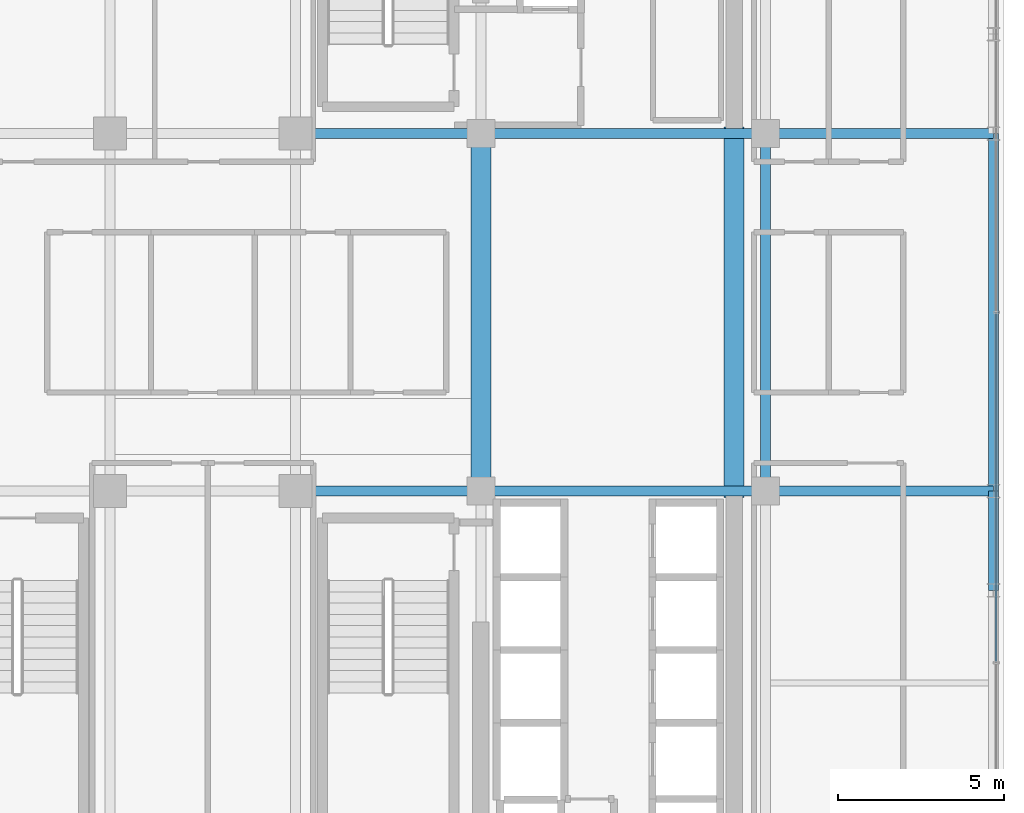
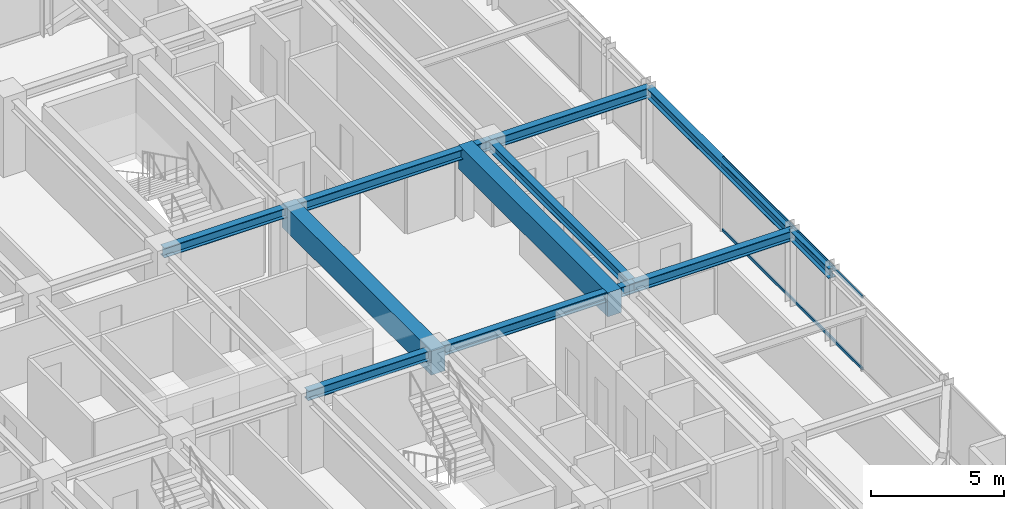
# One storey, part 16 of 41: 11 beams, 2 members, 1 element without a shape of its own.
"""IFC4 building model written with IfcOpenShell, lengths in metres."""

from ifc_helpers import new_model, si_unit, direction, frame, origin, origin_2d, place, context, subcontext, project, spatial, rectangle, hollow_rectangle, i_section, extrude, source, transform, mapped, material, material_profile, profile_set, type_object, element, aggregate, save


model = new_model("IFC4")

# Units and contexts
model_context = context("Model", 3, precision=1e-05, world=origin(), true_north=direction((0.0, 1.0)))
body_context = subcontext(model_context, "Body", "Model", "MODEL_VIEW")
ifc_project = project(units=[si_unit("LENGTHUNIT", "METRE"), si_unit("AREAUNIT", "SQUARE_METRE"), si_unit("VOLUMEUNIT", "CUBIC_METRE"), si_unit("PLANEANGLEUNIT", "RADIAN"), si_unit("MASSUNIT", "GRAM", prefix="KILO")], contexts=[model_context])

# Site, building, storey
site_placement = place(None, origin())
site = spatial("IfcSite", under=ifc_project, at=site_placement, CompositionType="ELEMENT")
building_placement = place(site_placement, origin())
building = spatial("IfcBuilding", under=site, at=building_placement, Name="Nahalor Promenade Grand Hotel", CompositionType="ELEMENT")
storey_placement = place(building_placement, frame((0.0, 0.0, 227.10009765625)))
storey = spatial("IfcBuildingStorey", under=building, at=storey_placement, Name="L58", CompositionType="ELEMENT", Elevation=227.10009765625)

# Beams
ifc_material_1 = material(Name="Concrete B-60 (C50/60)", Category="concrete")
ifc_material_profile_1 = material_profile(ifc_material_1, rectangle(XDim=0.6, YDim=1.1, at=origin_2d()), Name="RC 600x1100")
ifc_profile_set_1 = profile_set([ifc_material_profile_1], Name="Concrete B-60 (C50/60)")
beam_type_1 = type_object("IfcBeamType", Name="Beam-Lintel-RC1100", PredefinedType="LINTEL", material=ifc_profile_set_1)
shared_shape_1 = source(origin(), body_context, "Body", "SweptSolid", [
    extrude(rectangle(XDim=0.6, YDim=1.1, at=origin_2d()), origin(), (0.0, 0.0, 1.0), 11.2001953125),
])
for number, where, z_axis, x_axis, name in (
    (1, (8.39990234375, -5.60009765625, 2.85986328125), (0.0, 1.0, 0.0), (-1.0, 0.0, 0.0), "BM-L58-LINT-W"),
    (2, (16.050048828125, -5.60009765625, 2.85986328125), (0.0, 1.0, 0.0), (-1.0, 0.0, 0.0), "BM-L58-LINT-E"),
):
    element("IfcBeam", number, at=place(storey_placement, frame(where, z_axis=z_axis, x_axis=x_axis)), inside=storey, type_object=beam_type_1, Name=name, PredefinedType="LINTEL", context=body_context, shape_type="MappedRepresentation", body=[
        mapped(shared_shape_1, transform((0.0, 0.0, 0.0), scale=1.0)),
    ])
ifc_material_2 = material(Name="Steel S355JR", Category="steel")
ifc_material_profile_2 = material_profile(ifc_material_2, i_section(OverallWidth=0.3, OverallDepth=0.45, WebThickness=0.014, FlangeThickness=0.026, at=origin_2d()), Name="HEB 450")
ifc_profile_set_2 = profile_set([ifc_material_profile_2], Name="Steel S355JR")
beam_type_2 = type_object("IfcBeamType", Name="Beam-Spandrel-HEB450", PredefinedType="SPANDREL", material=ifc_profile_set_2)
shared_shape_2 = source(origin(), body_context, "Body", "SweptSolid", [
    extrude(i_section(OverallWidth=0.3, OverallDepth=0.45, WebThickness=0.014, FlangeThickness=0.026, at=origin_2d()), origin(), (0.0, 0.0, 1.0), 3.0),
])
beam_1_placement = place(storey_placement, frame((23.8798828125, -8.39990234375, 3.184814453125), z_axis=(0.0, 1.0, 0.0), x_axis=(-1.0, 0.0, 0.0)))
element("IfcBeam", 3, at=beam_1_placement, inside=storey, type_object=beam_type_2, Name="BM-L58-SP-E-1", PredefinedType="SPANDREL", context=body_context, shape_type="MappedRepresentation", body=[
    mapped(shared_shape_2, transform((0.0, 0.0, 0.0), scale=1.0)),
])
shared_shape_3 = source(origin(), body_context, "Body", "SweptSolid", [
    extrude(i_section(OverallWidth=0.3, OverallDepth=0.45, WebThickness=0.014, FlangeThickness=0.026, at=origin_2d()), origin(), (0.0, 0.0, 1.0), 10.7998046875),
])
beam_2_placement = place(storey_placement, frame((23.8798828125, -5.39990234375, 3.184814453125), z_axis=(0.0, 1.0, 0.0), x_axis=(-1.0, 0.0, 0.0)))
element("IfcBeam", 4, at=beam_2_placement, inside=storey, type_object=beam_type_2, Name="BM-L58-SP-E-2", PredefinedType="SPANDREL", context=body_context, shape_type="MappedRepresentation", body=[
    mapped(shared_shape_3, transform((0.0, 0.0, 0.0), scale=1.0)),
])
ifc_material_profile_3 = material_profile(ifc_material_2, i_section(OverallWidth=0.3, OverallDepth=0.45, WebThickness=0.014, FlangeThickness=0.026, at=origin_2d()), Name="HEB 450")
ifc_profile_set_3 = profile_set([ifc_material_profile_3], Name="Steel S355JR")
beam_type_3 = type_object("IfcBeamType", Name="Beam-Girder-HEB450", PredefinedType="BEAM", material=ifc_profile_set_3)
shared_shape_4 = source(origin(), body_context, "Body", "SweptSolid", [
    extrude(i_section(OverallWidth=0.3, OverallDepth=0.45, WebThickness=0.014, FlangeThickness=0.026, at=origin_2d()), origin(), (0.0, 0.0, 1.0), 6.8798828125),
])
for number, where, z_axis, x_axis, name in (
    (5, (17.0, -5.39990234375, 3.184814453125), (1.0, 0.0, 0.0), (0.0, 1.0, 0.0), "BM-L58-GX-1-6"),
    (6, (17.0, 5.39990234375, 3.184814453125), (1.0, 0.0, 0.0), (0.0, 1.0, 0.0), "BM-L58-GX-2-6"),
):
    element("IfcBeam", number, at=place(storey_placement, frame(where, z_axis=z_axis, x_axis=x_axis)), inside=storey, type_object=beam_type_3, Name=name, PredefinedType="BEAM", context=body_context, shape_type="MappedRepresentation", body=[
        mapped(shared_shape_4, transform((0.0, 0.0, 0.0), scale=1.0)),
    ])
shared_shape_5 = source(origin(), body_context, "Body", "SweptSolid", [
    extrude(i_section(OverallWidth=0.3, OverallDepth=0.45, WebThickness=0.014, FlangeThickness=0.026, at=origin_2d()), origin(), (0.0, 0.0, 1.0), 8.60009765625),
])
for number, where, z_axis, x_axis, name in (
    (7, (8.39990234375, -5.39990234375, 3.184814453125), (1.0, 0.0, 0.0), (0.0, 1.0, 0.0), "BM-L58-GX-1-5"),
    (8, (8.39990234375, 5.39990234375, 3.184814453125), (1.0, 0.0, 0.0), (0.0, 1.0, 0.0), "BM-L58-GX-2-5"),
):
    element("IfcBeam", number, at=place(storey_placement, frame(where, z_axis=z_axis, x_axis=x_axis)), inside=storey, type_object=beam_type_3, Name=name, PredefinedType="BEAM", context=body_context, shape_type="MappedRepresentation", body=[
        mapped(shared_shape_5, transform((0.0, 0.0, 0.0), scale=1.0)),
    ])
shared_shape_6 = source(origin(), body_context, "Body", "SweptSolid", [
    extrude(i_section(OverallWidth=0.3, OverallDepth=0.45, WebThickness=0.014, FlangeThickness=0.026, at=origin_2d()), origin(), (0.0, 0.0, 1.0), 5.599853515625),
])
for number, where, z_axis, x_axis, name in (
    (9, (2.800048828125, -5.39990234375, 3.184814453125), (1.0, 0.0, 0.0), (0.0, 1.0, 0.0), "BM-L58-GX-1-4"),
    (10, (2.800048828125, 5.39990234375, 3.184814453125), (1.0, 0.0, 0.0), (0.0, 1.0, 0.0), "BM-L58-GX-2-4"),
):
    element("IfcBeam", number, at=place(storey_placement, frame(where, z_axis=z_axis, x_axis=x_axis)), inside=storey, type_object=beam_type_3, Name=name, PredefinedType="BEAM", context=body_context, shape_type="MappedRepresentation", body=[
        mapped(shared_shape_6, transform((0.0, 0.0, 0.0), scale=1.0)),
    ])
shared_shape_7 = source(origin(), body_context, "Body", "SweptSolid", [
    extrude(i_section(OverallWidth=0.3, OverallDepth=0.45, WebThickness=0.014, FlangeThickness=0.026, at=origin_2d()), origin(), (0.0, 0.0, 1.0), 10.7998046875),
])
beam_3_placement = place(storey_placement, frame((17.0, -5.39990234375, 3.184814453125), z_axis=(0.0, 1.0, 0.0), x_axis=(-1.0, 0.0, 0.0)))
element("IfcBeam", 11, at=beam_3_placement, inside=storey, type_object=beam_type_3, Name="BM-L58-GY-5-2", PredefinedType="BEAM", context=body_context, shape_type="MappedRepresentation", body=[
    mapped(shared_shape_7, transform((0.0, 0.0, 0.0), scale=1.0)),
])

# Curtain wall, members
ifc_material_3 = material(Name="Anodised Bronze Aluminium EN AW-6063 T6", Category="aluminium")
curtain_wall_type = type_object("IfcCurtainWallType", Name="CW2 Typical Hotel Flush Bronze Unitised Curtain Wall", PredefinedType="USERDEFINED", material=ifc_material_3)
curtain_wall_placement = place(storey_placement, origin())
curtain_wall = element("IfcCurtainWall", 12, at=curtain_wall_placement, inside=storey, type_object=curtain_wall_type, Name="L58 Curtain Wall CW-L58-E-1", ObjectType="UNITISED_CURTAIN_WALL", PredefinedType="USERDEFINED")
ifc_material_profile_4 = material_profile(ifc_material_3, hollow_rectangle(XDim=0.065, YDim=0.13, WallThickness=0.004, at=origin_2d()), Name="CWT 65x130x4")
ifc_profile_set_4 = profile_set([ifc_material_profile_4], Name="Anodised Bronze Aluminium EN AW-6063 T6")
member_type = type_object("IfcMemberType", Name="CWT2 Typical Bronze Transom 65x130", PredefinedType="USERDEFINED", material=ifc_profile_set_4)
shared_shape_8 = source(origin(), body_context, "Body", "SweptSolid", [
    extrude(hollow_rectangle(XDim=0.065, YDim=0.13, WallThickness=0.004, at=origin_2d()), origin(), (0.0, 0.0, 1.0), 10.51513671875),
])
member_1_placement = place(storey_placement, frame((23.9599609375, -10.547607421875, 0.06494140625), z_axis=(0.0, 1.0, 0.0), x_axis=(-1.0, 0.0, 0.0)))
member_1 = element("IfcMember", 13, at=member_1_placement, type_object=member_type, Name="CW-L58-E-1 Transom 1-0", ObjectType="TRANSOM", PredefinedType="USERDEFINED", context=body_context, shape_type="MappedRepresentation", body=[
    mapped(shared_shape_8, transform((0.0, 0.0, 0.0), scale=1.0)),
])
member_2_placement = place(storey_placement, frame((23.9599609375, -10.547607421875, 3.344970703125), z_axis=(0.0, 1.0, 0.0), x_axis=(-1.0, 0.0, 0.0)))
member_2 = element("IfcMember", 14, at=member_2_placement, type_object=member_type, Name="CW-L58-E-1 Transom 1-1", ObjectType="TRANSOM", PredefinedType="USERDEFINED", context=body_context, shape_type="MappedRepresentation", body=[
    mapped(shared_shape_8, transform((0.0, 0.0, 0.0), scale=1.0)),
])
aggregate(curtain_wall, [member_1, member_2])

save(model, "model.ifc")
